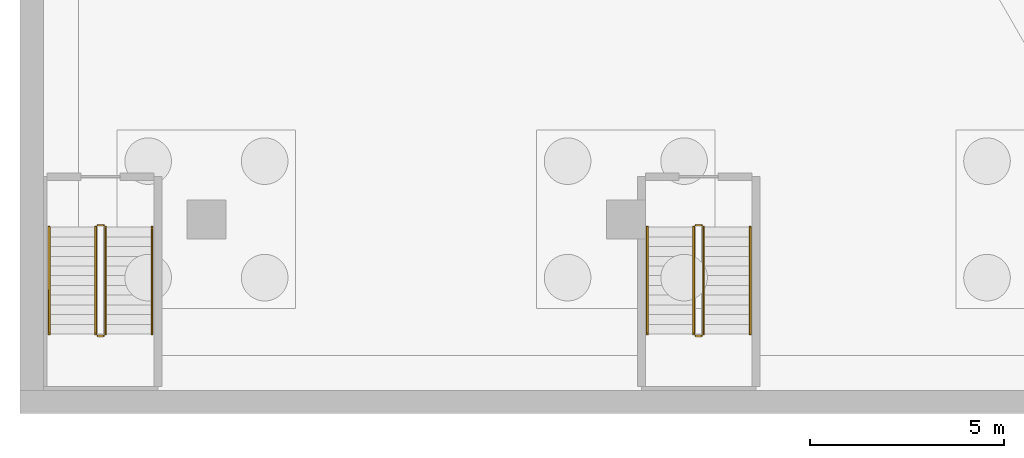
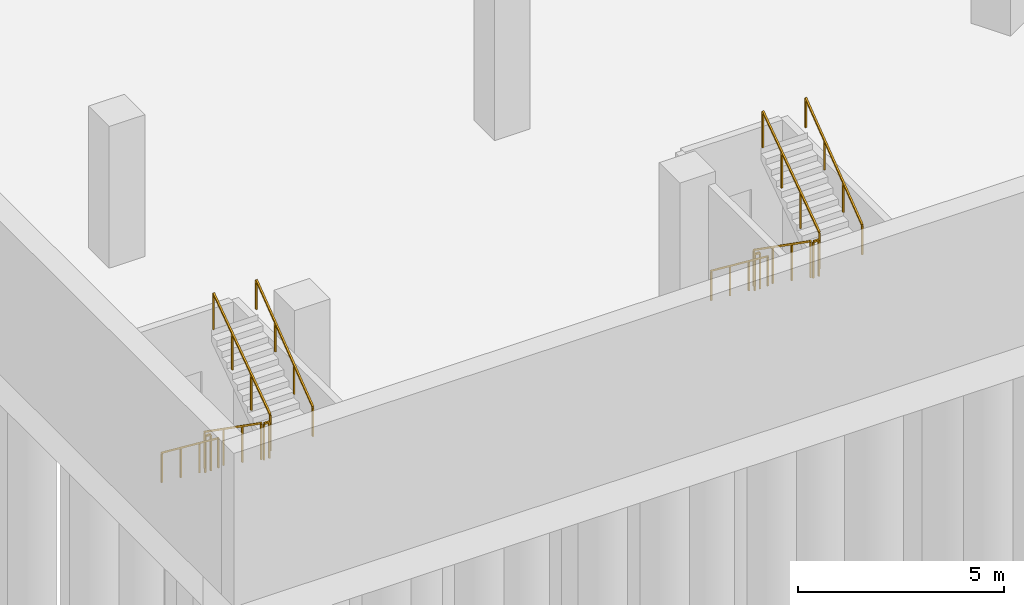
# One storey, part 16 of 21: 12 railings.
"""IFC4 building model written with IfcOpenShell, lengths in metres."""

from ifc_helpers import new_model, si_unit, direction, frame, origin, origin_2d, place, context, subcontext, project, spatial, rectangle, extrude, material, type_object, element, save


model = new_model("IFC4")

# Units and contexts
model_context = context("Model", 3, precision=1e-05, world=origin(), true_north=direction((0.0, 1.0)))
body_context = subcontext(model_context, "Body", "Model", "MODEL_VIEW")
ifc_project = project(units=[si_unit("LENGTHUNIT", "METRE"), si_unit("AREAUNIT", "SQUARE_METRE"), si_unit("VOLUMEUNIT", "CUBIC_METRE"), si_unit("PLANEANGLEUNIT", "RADIAN"), si_unit("MASSUNIT", "GRAM", prefix="KILO")], contexts=[model_context])

# Site, building, storey
site_placement = place(None, origin())
site = spatial("IfcSite", under=ifc_project, at=site_placement, CompositionType="ELEMENT")
building_placement = place(site_placement, origin())
building = spatial("IfcBuilding", under=site, at=building_placement, Name="Beryl Residences", CompositionType="ELEMENT")
storey_placement = place(building_placement, frame((0.0, 0.0, -8.39990234375)))
storey = spatial("IfcBuildingStorey", under=building, at=storey_placement, Name="B2", CompositionType="ELEMENT", Elevation=-8.39990234375)

# Railings
ifc_material_1 = material(Name="Stainless steel balustrade with glass infill", Category="steel")
railing_type_1 = type_object("IfcRailingType", Name="SG1 stair guard 1100 mm", PredefinedType="GUARDRAIL", material=ifc_material_1)
railing_1_placement = place(storey_placement, frame((-46.050048828125, -27.199951171875, 0.1748046875)))
element("IfcRailing", 1, at=railing_1_placement, inside=storey, type_object=railing_type_1, Name="B2 BS-4 stair guard 1", PredefinedType="GUARDRAIL", context=body_context, shape_type="SweptSolid", body=[
    extrude(rectangle(XDim=0.048095703125, YDim=0.048095703125, at=origin_2d()), frame((0.0, 0.0, 1.076171875), z_axis=(0.0, -0.819225086817, 0.573472106672), x_axis=(1.0, 0.0, 0.0)), (0.0, 0.0, 1.0), 3.35693359375),
    extrude(rectangle(XDim=0.0419921875, YDim=0.0419921875, at=origin_2d()), origin(), (0.0, 0.0, 1.0), 1.052001953125),
    extrude(rectangle(XDim=0.0419921875, YDim=0.0419921875, at=origin_2d()), frame((0.0, -0.916748046875, 0.6416015625)), (0.0, 0.0, 1.0), 1.052001953125),
    extrude(rectangle(XDim=0.0419921875, YDim=0.0419921875, at=origin_2d()), frame((0.0, -1.833251953125, 1.283447265625)), (0.0, 0.0, 1.0), 1.052001953125),
    extrude(rectangle(XDim=0.0419921875, YDim=0.0419921875, at=origin_2d()), frame((0.0, -2.75, 1.925048828125)), (0.0, 0.0, 1.0), 1.052001953125),
])
railing_2_placement = place(storey_placement, frame((-46.0, -30.0, 2.099853515625)))
element("IfcRailing", 2, at=railing_2_placement, inside=storey, type_object=railing_type_1, Name="B2 BS-4 stair guard 2", PredefinedType="GUARDRAIL", context=body_context, shape_type="SweptSolid", body=[
    extrude(rectangle(XDim=0.048095703125, YDim=0.048095703125, at=origin_2d()), frame((0.0, 0.0, 1.076171875), z_axis=(1.0, 0.0, 0.0), x_axis=(0.0, 1.0, 0.0)), (0.0, 0.0, 1.0), 0.14990234375),
    extrude(rectangle(XDim=0.0419921875, YDim=0.0419921875, at=origin_2d()), origin(), (0.0, 0.0, 1.0), 1.052001953125),
    extrude(rectangle(XDim=0.0419921875, YDim=0.0419921875, at=origin_2d()), frame((0.14990234375, 0.0, 0.0)), (0.0, 0.0, 1.0), 1.052001953125),
])
railing_3_placement = place(storey_placement, frame((-45.800048828125, -29.949951171875, 2.27490234375)))
element("IfcRailing", 3, at=railing_3_placement, inside=storey, type_object=railing_type_1, Name="B2 BS-4 stair guard 3", PredefinedType="GUARDRAIL", context=body_context, shape_type="SweptSolid", body=[
    extrude(rectangle(XDim=0.048095703125, YDim=0.048095703125, at=origin_2d()), frame((0.0, 0.0, 1.076171875), z_axis=(0.0, 0.819225086817, 0.573472106672), x_axis=(-1.0, 0.0, 0.0)), (0.0, 0.0, 1.0), 3.35693359375),
    extrude(rectangle(XDim=0.0419921875, YDim=0.0419921875, at=origin_2d()), origin(), (0.0, 0.0, 1.0), 1.052001953125),
    extrude(rectangle(XDim=0.0419921875, YDim=0.0419921875, at=origin_2d()), frame((0.0, 0.916748046875, 0.6416015625)), (0.0, 0.0, 1.0), 1.052001953125),
    extrude(rectangle(XDim=0.0419921875, YDim=0.0419921875, at=origin_2d()), frame((0.0, 1.833251953125, 1.283447265625)), (0.0, 0.0, 1.0), 1.052001953125),
    extrude(rectangle(XDim=0.0419921875, YDim=0.0419921875, at=origin_2d()), frame((0.0, 2.75, 1.925048828125)), (0.0, 0.0, 1.0), 1.052001953125),
])
railing_4_placement = place(storey_placement, frame((-46.0, -27.14990234375, 0.0)))
element("IfcRailing", 4, at=railing_4_placement, inside=storey, type_object=railing_type_1, Name="B2 BS-4 stair guard 4", PredefinedType="GUARDRAIL", context=body_context, shape_type="SweptSolid", body=[
    extrude(rectangle(XDim=0.048095703125, YDim=0.048095703125, at=origin_2d()), frame((0.0, 0.0, 1.076171875), z_axis=(1.0, 0.0, 0.0), x_axis=(0.0, 1.0, 0.0)), (0.0, 0.0, 1.0), 0.14990234375),
    extrude(rectangle(XDim=0.0419921875, YDim=0.0419921875, at=origin_2d()), origin(), (0.0, 0.0, 1.0), 1.052001953125),
    extrude(rectangle(XDim=0.0419921875, YDim=0.0419921875, at=origin_2d()), frame((0.14990234375, 0.0, 0.0)), (0.0, 0.0, 1.0), 1.052001953125),
])
railing_5_placement = place(storey_placement, frame((-30.64990234375, -27.199951171875, 0.1748046875)))
element("IfcRailing", 5, at=railing_5_placement, inside=storey, type_object=railing_type_1, Name="B2 BS-5 stair guard 1", PredefinedType="GUARDRAIL", context=body_context, shape_type="SweptSolid", body=[
    extrude(rectangle(XDim=0.048095703125, YDim=0.048095703125, at=origin_2d()), frame((0.0, 0.0, 1.076171875), z_axis=(0.0, -0.819225086817, 0.573472106672), x_axis=(1.0, 0.0, 0.0)), (0.0, 0.0, 1.0), 3.35693359375),
    extrude(rectangle(XDim=0.0419921875, YDim=0.0419921875, at=origin_2d()), origin(), (0.0, 0.0, 1.0), 1.052001953125),
    extrude(rectangle(XDim=0.0419921875, YDim=0.0419921875, at=origin_2d()), frame((0.0, -0.916748046875, 0.6416015625)), (0.0, 0.0, 1.0), 1.052001953125),
    extrude(rectangle(XDim=0.0419921875, YDim=0.0419921875, at=origin_2d()), frame((0.0, -1.833251953125, 1.283447265625)), (0.0, 0.0, 1.0), 1.052001953125),
    extrude(rectangle(XDim=0.0419921875, YDim=0.0419921875, at=origin_2d()), frame((0.0, -2.75, 1.925048828125)), (0.0, 0.0, 1.0), 1.052001953125),
])
railing_6_placement = place(storey_placement, frame((-30.60009765625, -30.0, 2.099853515625)))
element("IfcRailing", 6, at=railing_6_placement, inside=storey, type_object=railing_type_1, Name="B2 BS-5 stair guard 2", PredefinedType="GUARDRAIL", context=body_context, shape_type="SweptSolid", body=[
    extrude(rectangle(XDim=0.048095703125, YDim=0.048095703125, at=origin_2d()), frame((0.0, 0.0, 1.076171875), z_axis=(1.0, 0.0, 0.0), x_axis=(0.0, 1.0, 0.0)), (0.0, 0.0, 1.0), 0.150146484375),
    extrude(rectangle(XDim=0.0419921875, YDim=0.0419921875, at=origin_2d()), origin(), (0.0, 0.0, 1.0), 1.052001953125),
    extrude(rectangle(XDim=0.0419921875, YDim=0.0419921875, at=origin_2d()), frame((0.150146484375, 0.0, 0.0)), (0.0, 0.0, 1.0), 1.052001953125),
])
railing_7_placement = place(storey_placement, frame((-30.39990234375, -29.949951171875, 2.27490234375)))
element("IfcRailing", 7, at=railing_7_placement, inside=storey, type_object=railing_type_1, Name="B2 BS-5 stair guard 3", PredefinedType="GUARDRAIL", context=body_context, shape_type="SweptSolid", body=[
    extrude(rectangle(XDim=0.048095703125, YDim=0.048095703125, at=origin_2d()), frame((0.0, 0.0, 1.076171875), z_axis=(0.0, 0.819225086817, 0.573472106672), x_axis=(-1.0, 0.0, 0.0)), (0.0, 0.0, 1.0), 3.35693359375),
    extrude(rectangle(XDim=0.0419921875, YDim=0.0419921875, at=origin_2d()), origin(), (0.0, 0.0, 1.0), 1.052001953125),
    extrude(rectangle(XDim=0.0419921875, YDim=0.0419921875, at=origin_2d()), frame((0.0, 0.916748046875, 0.6416015625)), (0.0, 0.0, 1.0), 1.052001953125),
    extrude(rectangle(XDim=0.0419921875, YDim=0.0419921875, at=origin_2d()), frame((0.0, 1.833251953125, 1.283447265625)), (0.0, 0.0, 1.0), 1.052001953125),
    extrude(rectangle(XDim=0.0419921875, YDim=0.0419921875, at=origin_2d()), frame((0.0, 2.75, 1.925048828125)), (0.0, 0.0, 1.0), 1.052001953125),
])
railing_8_placement = place(storey_placement, frame((-30.60009765625, -27.14990234375, 0.0)))
element("IfcRailing", 8, at=railing_8_placement, inside=storey, type_object=railing_type_1, Name="B2 BS-5 stair guard 4", PredefinedType="GUARDRAIL", context=body_context, shape_type="SweptSolid", body=[
    extrude(rectangle(XDim=0.048095703125, YDim=0.048095703125, at=origin_2d()), frame((0.0, 0.0, 1.076171875), z_axis=(1.0, 0.0, 0.0), x_axis=(0.0, 1.0, 0.0)), (0.0, 0.0, 1.0), 0.150146484375),
    extrude(rectangle(XDim=0.0419921875, YDim=0.0419921875, at=origin_2d()), origin(), (0.0, 0.0, 1.0), 1.052001953125),
    extrude(rectangle(XDim=0.0419921875, YDim=0.0419921875, at=origin_2d()), frame((0.150146484375, 0.0, 0.0)), (0.0, 0.0, 1.0), 1.052001953125),
])
ifc_material_2 = material(Name="Stainless steel handrail", Category="steel")
railing_type_2 = type_object("IfcRailingType", Name="SRL1 stair handrail 900 mm", PredefinedType="HANDRAIL", material=ifc_material_2)
railing_9_placement = place(storey_placement, frame((-47.25, -27.199951171875, 0.1748046875)))
element("IfcRailing", 9, at=railing_9_placement, inside=storey, type_object=railing_type_2, Name="B2 BS-4 stair handrail 1", PredefinedType="HANDRAIL", context=body_context, shape_type="SweptSolid", body=[
    extrude(rectangle(XDim=0.048095703125, YDim=0.048095703125, at=origin_2d()), frame((0.0, 0.0, 0.8759765625), z_axis=(0.0, -0.794754200304, 0.60693143031), x_axis=(1.0, 0.0, 0.0)), (0.0, 0.0, 1.0), 3.460205078125),
    extrude(rectangle(XDim=0.0419921875, YDim=0.0419921875, at=origin_2d()), origin(), (0.0, 0.0, 1.0), 0.851806640625),
    extrude(rectangle(XDim=0.0419921875, YDim=0.0419921875, at=origin_2d()), frame((0.0, -0.916748046875, 0.699951171875)), (0.0, 0.0, 1.0), 0.851806640625),
    extrude(rectangle(XDim=0.0419921875, YDim=0.0419921875, at=origin_2d()), frame((0.0, -1.833251953125, 1.400146484375)), (0.0, 0.0, 1.0), 0.851806640625),
    extrude(rectangle(XDim=0.0419921875, YDim=0.0419921875, at=origin_2d()), frame((0.0, -2.75, 2.10009765625)), (0.0, 0.0, 1.0), 0.851806640625),
])
railing_10_placement = place(storey_placement, frame((-44.60009765625, -29.949951171875, 2.27490234375)))
element("IfcRailing", 10, at=railing_10_placement, inside=storey, type_object=railing_type_2, Name="B2 BS-4 stair handrail 2", PredefinedType="HANDRAIL", context=body_context, shape_type="SweptSolid", body=[
    extrude(rectangle(XDim=0.048095703125, YDim=0.048095703125, at=origin_2d()), frame((0.0, 0.0, 0.8759765625), z_axis=(0.0, 0.794754200304, 0.60693143031), x_axis=(-1.0, 0.0, 0.0)), (0.0, 0.0, 1.0), 3.460205078125),
    extrude(rectangle(XDim=0.0419921875, YDim=0.0419921875, at=origin_2d()), origin(), (0.0, 0.0, 1.0), 0.851806640625),
    extrude(rectangle(XDim=0.0419921875, YDim=0.0419921875, at=origin_2d()), frame((0.0, 0.916748046875, 0.699951171875)), (0.0, 0.0, 1.0), 0.851806640625),
    extrude(rectangle(XDim=0.0419921875, YDim=0.0419921875, at=origin_2d()), frame((0.0, 1.833251953125, 1.400146484375)), (0.0, 0.0, 1.0), 0.851806640625),
    extrude(rectangle(XDim=0.0419921875, YDim=0.0419921875, at=origin_2d()), frame((0.0, 2.75, 2.10009765625)), (0.0, 0.0, 1.0), 0.851806640625),
])
railing_11_placement = place(storey_placement, frame((-31.85009765625, -27.199951171875, 0.1748046875)))
element("IfcRailing", 11, at=railing_11_placement, inside=storey, type_object=railing_type_2, Name="B2 BS-5 stair handrail 1", PredefinedType="HANDRAIL", context=body_context, shape_type="SweptSolid", body=[
    extrude(rectangle(XDim=0.048095703125, YDim=0.048095703125, at=origin_2d()), frame((0.0, 0.0, 0.8759765625), z_axis=(0.0, -0.794754200304, 0.60693143031), x_axis=(1.0, 0.0, 0.0)), (0.0, 0.0, 1.0), 3.460205078125),
    extrude(rectangle(XDim=0.0419921875, YDim=0.0419921875, at=origin_2d()), origin(), (0.0, 0.0, 1.0), 0.851806640625),
    extrude(rectangle(XDim=0.0419921875, YDim=0.0419921875, at=origin_2d()), frame((0.0, -0.916748046875, 0.699951171875)), (0.0, 0.0, 1.0), 0.851806640625),
    extrude(rectangle(XDim=0.0419921875, YDim=0.0419921875, at=origin_2d()), frame((0.0, -1.833251953125, 1.400146484375)), (0.0, 0.0, 1.0), 0.851806640625),
    extrude(rectangle(XDim=0.0419921875, YDim=0.0419921875, at=origin_2d()), frame((0.0, -2.75, 2.10009765625)), (0.0, 0.0, 1.0), 0.851806640625),
])
railing_12_placement = place(storey_placement, frame((-29.199951171875, -29.949951171875, 2.27490234375)))
element("IfcRailing", 12, at=railing_12_placement, inside=storey, type_object=railing_type_2, Name="B2 BS-5 stair handrail 2", PredefinedType="HANDRAIL", context=body_context, shape_type="SweptSolid", body=[
    extrude(rectangle(XDim=0.048095703125, YDim=0.048095703125, at=origin_2d()), frame((0.0, 0.0, 0.8759765625), z_axis=(0.0, 0.794754200304, 0.60693143031), x_axis=(-1.0, 0.0, 0.0)), (0.0, 0.0, 1.0), 3.460205078125),
    extrude(rectangle(XDim=0.0419921875, YDim=0.0419921875, at=origin_2d()), origin(), (0.0, 0.0, 1.0), 0.851806640625),
    extrude(rectangle(XDim=0.0419921875, YDim=0.0419921875, at=origin_2d()), frame((0.0, 0.916748046875, 0.699951171875)), (0.0, 0.0, 1.0), 0.851806640625),
    extrude(rectangle(XDim=0.0419921875, YDim=0.0419921875, at=origin_2d()), frame((0.0, 1.833251953125, 1.400146484375)), (0.0, 0.0, 1.0), 0.851806640625),
    extrude(rectangle(XDim=0.0419921875, YDim=0.0419921875, at=origin_2d()), frame((0.0, 2.75, 2.10009765625)), (0.0, 0.0, 1.0), 0.851806640625),
])

save(model, "model.ifc")
